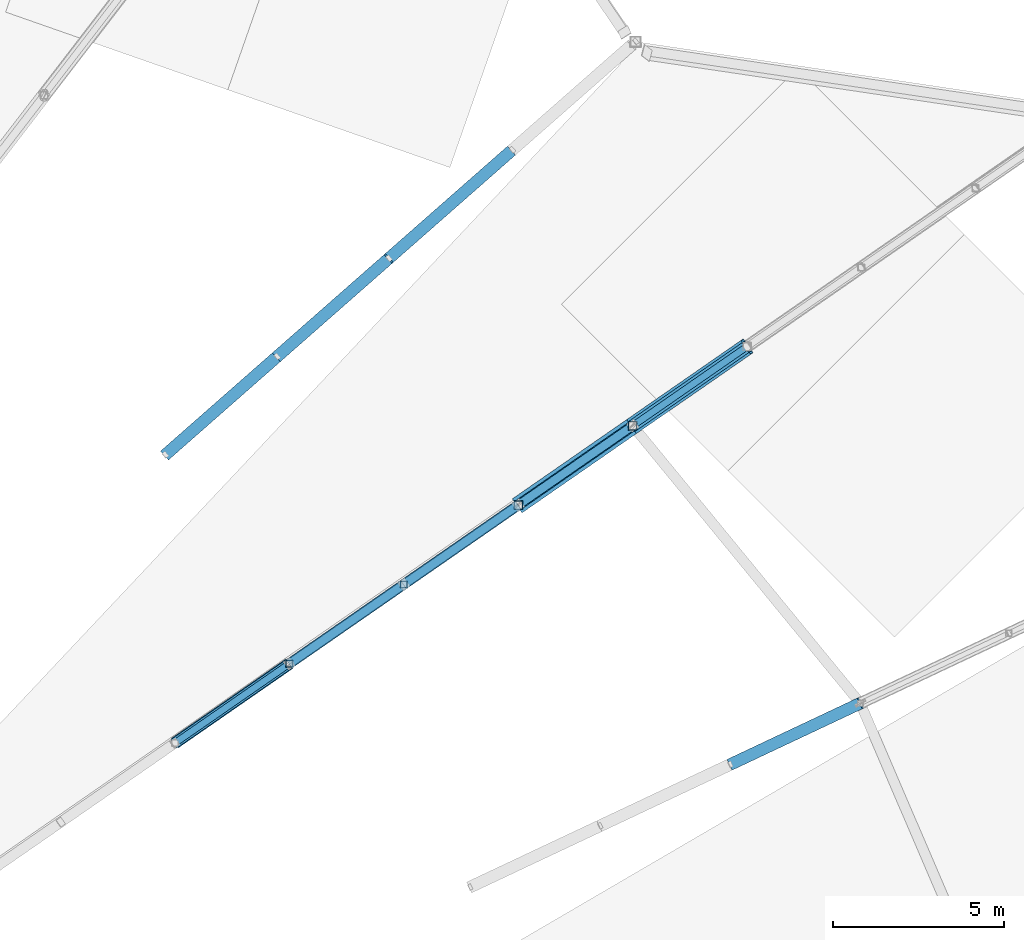
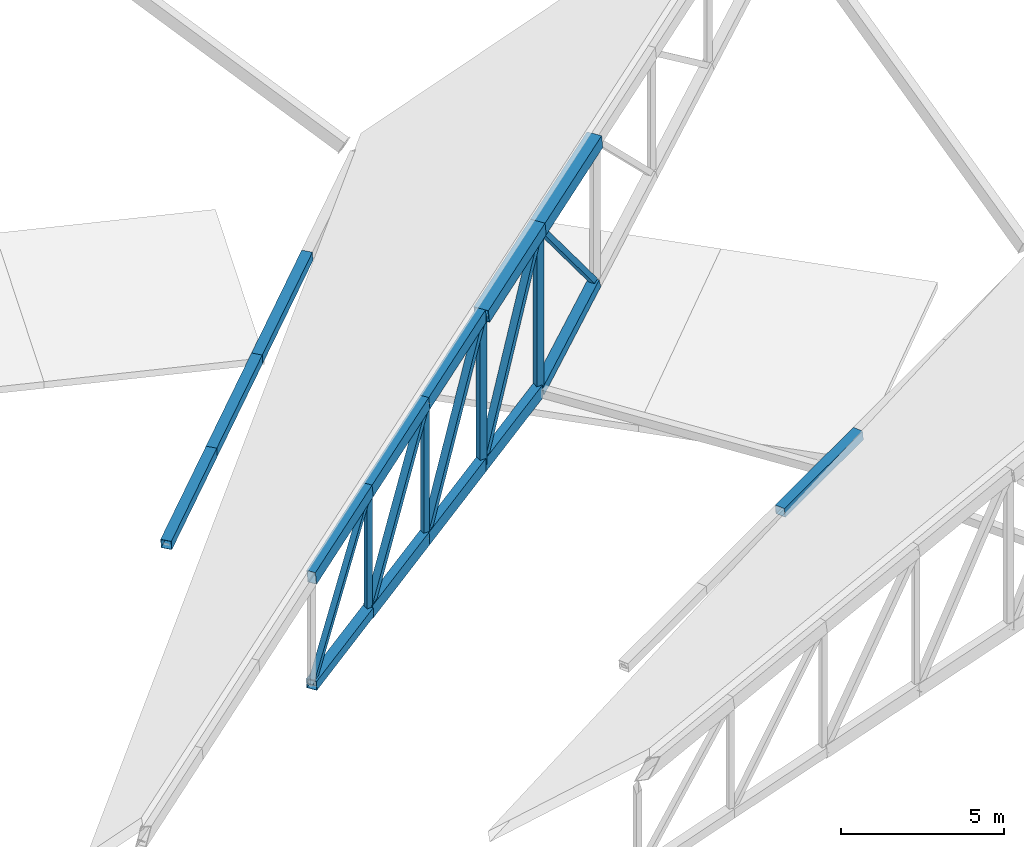
# One storey, part 101 of 188: 23 members.
"""IFC4 building model written with IfcOpenShell, lengths in metres."""

from ifc_helpers import new_model, si_unit, direction, frame, origin, origin_2d, place, context, subcontext, project, spatial, hollow_rectangle, extrude, material, material_profile, profile_set, type_object, element, save


model = new_model("IFC4")

# Units and contexts
model_context = context("Model", 3, precision=1e-05, world=origin(), true_north=direction((0.0, 1.0)))
body_context = subcontext(model_context, "Body", "Model", "MODEL_VIEW")
ifc_project = project(units=[si_unit("LENGTHUNIT", "METRE"), si_unit("AREAUNIT", "SQUARE_METRE"), si_unit("VOLUMEUNIT", "CUBIC_METRE"), si_unit("PLANEANGLEUNIT", "RADIAN"), si_unit("MASSUNIT", "GRAM", prefix="KILO")], contexts=[model_context])

# Site, building, storey
site_placement = place(None, origin())
site = spatial("IfcSite", under=ifc_project, at=site_placement, CompositionType="ELEMENT")
building_placement = place(site_placement, origin())
building = spatial("IfcBuilding", under=site, at=building_placement, Name="Meseta Stadium", CompositionType="ELEMENT")
storey_placement = place(building_placement, frame((0.0, 0.0, 30.0)))
storey = spatial("IfcBuildingStorey", under=building, at=storey_placement, Name="ROOF", CompositionType="ELEMENT", Elevation=30.0)

# Members
ifc_material_1 = material(Name="Steel S355", Category="steel")
ifc_material_profile_1 = material_profile(ifc_material_1, hollow_rectangle(XDim=0.300048828125, YDim=0.5, WallThickness=0.01611328125, at=origin_2d()), Name="RHS 500x300x16")
ifc_profile_set_1 = profile_set([ifc_material_profile_1], Name="Steel S355")
member_type_1 = type_object("IfcMemberType", Name="RHS 500x300x16 bottom chord", PredefinedType="CHORD", material=ifc_profile_set_1)
member_1_placement = place(storey_placement, frame((61.710205078125, 72.913818359375, 0.962158203125), z_axis=(0.821142779412, 0.569039636759, 0.043799858631), x_axis=(-0.569586254046, 0.821931566009, 0.0)))
element("IfcMember", 1, at=member_1_placement, inside=storey, type_object=member_type_1, Name="ROOF TRUSS RT-12 bottom chord", PredefinedType="CHORD", context=body_context, shape_type="SweptSolid", body=[
    extrude(hollow_rectangle(XDim=0.300048828125, YDim=0.5, WallThickness=0.01611328125, at=origin_2d()), origin(), (0.0, 0.0, 1.0), 4.085693359375),
])
for number, where, z_axis, x_axis, name in (
    (2, (65.065185546875, 75.23876953125, 1.14111328125), (0.821117005878, 0.569081528452, 0.043738731502), (-0.569626659021, 0.821903564497, 0.0), "ROOF TRUSS RT-12 bottom chord"),
    (3, (68.420166015625, 77.56396484375, 1.31982421875), (0.821162241402, 0.569011716865, 0.043797709594), (-0.569558253619, 0.821950969179, 0.0), "ROOF TRUSS RT-12 bottom chord"),
):
    element("IfcMember", number, at=place(storey_placement, frame(where, z_axis=z_axis, x_axis=x_axis)), inside=storey, type_object=member_type_1, Name=name, PredefinedType="CHORD", context=body_context, shape_type="SweptSolid", body=[
        extrude(hollow_rectangle(XDim=0.300048828125, YDim=0.5, WallThickness=0.01611328125, at=origin_2d()), origin(), (0.0, 0.0, 1.0), 4.0859375),
    ])
ifc_material_2 = material(Name="Steel S355", Category="steel")
ifc_material_profile_2 = material_profile(ifc_material_2, hollow_rectangle(XDim=0.300048828125, YDim=0.5, WallThickness=0.01611328125, at=origin_2d()), Name="RHS 500x300x16")
ifc_profile_set_2 = profile_set([ifc_material_profile_2], Name="Steel S355")
member_type_2 = type_object("IfcMemberType", Name="RHS 500x300x16 top chord", PredefinedType="CHORD", material=ifc_profile_set_2)
member_2_placement = place(storey_placement, frame((58.35498046875, 70.5888671875, 4.80712890625), z_axis=(0.810006015641, 0.561281182198, 0.169863736963), x_axis=(-0.569558253619, 0.821950969179, 0.0)))
element("IfcMember", 4, at=member_2_placement, inside=storey, type_object=member_type_2, Name="ROOF TRUSS RT-12 top chord", PredefinedType="CHORD", context=body_context, shape_type="SweptSolid", body=[
    extrude(hollow_rectangle(XDim=0.300048828125, YDim=0.5, WallThickness=0.01611328125, at=origin_2d()), origin(), (0.0, 0.0, 1.0), 4.142333984375),
])
for number, where, z_axis, x_axis, name in (
    (5, (61.710205078125, 72.913818359375, 5.5107421875), (0.809985745458, 0.561307979479, 0.169871846777), (-0.569586254046, 0.821931566009, 0.0), "ROOF TRUSS RT-12 top chord"),
    (6, (65.065185546875, 75.23876953125, 6.21435546875), (0.809958947157, 0.561348349055, 0.169866226583), (-0.569626659021, 0.821903564497, 0.0), "ROOF TRUSS RT-12 top chord"),
):
    element("IfcMember", number, at=place(storey_placement, frame(where, z_axis=z_axis, x_axis=x_axis)), inside=storey, type_object=member_type_2, Name=name, PredefinedType="CHORD", context=body_context, shape_type="SweptSolid", body=[
        extrude(hollow_rectangle(XDim=0.300048828125, YDim=0.5, WallThickness=0.01611328125, at=origin_2d()), origin(), (0.0, 0.0, 1.0), 4.14208984375),
    ])
ifc_material_3 = material(Name="Steel S355", Category="steel")
ifc_material_profile_3 = material_profile(ifc_material_3, hollow_rectangle(XDim=0.199951171875, YDim=0.199951171875, WallThickness=0.008056640625, at=origin_2d()), Name="SHS 200x200x8")
ifc_profile_set_3 = profile_set([ifc_material_profile_3], Name="Steel S355")
member_type_3 = type_object("IfcMemberType", Name="SHS 200x200x8 diagonal", PredefinedType="BRACE", material=ifc_profile_set_3)
member_3_placement = place(storey_placement, frame((58.35498046875, 70.5888671875, 0.783447265625), z_axis=(0.537195351799, 0.372241238098, 0.75687357905), x_axis=(-0.569558253619, 0.821950969179, 0.0)))
element("IfcMember", 7, at=member_3_placement, inside=storey, type_object=member_type_3, Name="ROOF TRUSS RT-12 diagonal", PredefinedType="BRACE", context=body_context, shape_type="SweptSolid", body=[
    extrude(hollow_rectangle(XDim=0.199951171875, YDim=0.199951171875, WallThickness=0.008056640625, at=origin_2d()), origin(), (0.0, 0.0, 1.0), 6.245849609375),
])
member_4_placement = place(storey_placement, frame((71.775390625, 79.888916015625, 7.62158203125), z_axis=(0.542418565459, 0.375897647258, -0.751320875946), x_axis=(-0.569596196645, 0.821924675848, 0.0)))
element("IfcMember", 8, at=member_4_placement, inside=storey, type_object=member_type_3, Name="ROOF TRUSS RT-12 diagonal", PredefinedType="BRACE", context=body_context, shape_type="SweptSolid", body=[
    extrude(hollow_rectangle(XDim=0.199951171875, YDim=0.199951171875, WallThickness=0.008056640625, at=origin_2d()), origin(), (0.0, 0.0, 1.0), 6.17529296875),
])
ifc_material_4 = material(Name="Steel S355", Category="steel")
ifc_material_profile_4 = material_profile(ifc_material_4, hollow_rectangle(XDim=0.199951171875, YDim=0.199951171875, WallThickness=0.008056640625, at=origin_2d()), Name="SHS 200x200x8")
ifc_profile_set_4 = profile_set([ifc_material_profile_4], Name="Steel S355")
member_type_4 = type_object("IfcMemberType", Name="SHS 200x200x8 post", PredefinedType="POST", material=ifc_profile_set_4)
member_5_placement = place(storey_placement, frame((61.710205078125, 72.913818359375, 0.962158203125), z_axis=(0.0, 0.0, 1.0), x_axis=(1.0, 0.0, 0.0)))
element("IfcMember", 9, at=member_5_placement, inside=storey, type_object=member_type_4, Name="ROOF TRUSS RT-12 post", PredefinedType="POST", context=body_context, shape_type="SweptSolid", body=[
    extrude(hollow_rectangle(XDim=0.199951171875, YDim=0.199951171875, WallThickness=0.008056640625, at=origin_2d()), origin(), (0.0, 0.0, 1.0), 4.548583984375),
])
member_6_placement = place(storey_placement, frame((65.065185546875, 75.23876953125, 1.14111328125), z_axis=(0.0, 0.0, 1.0), x_axis=(1.0, 0.0, 0.0)))
element("IfcMember", 10, at=member_6_placement, inside=storey, type_object=member_type_4, Name="ROOF TRUSS RT-12 post", PredefinedType="POST", context=body_context, shape_type="SweptSolid", body=[
    extrude(hollow_rectangle(XDim=0.199951171875, YDim=0.199951171875, WallThickness=0.008056640625, at=origin_2d()), origin(), (0.0, 0.0, 1.0), 5.0732421875),
])
ifc_material_5 = material(Name="Steel S355", Category="steel")
ifc_material_profile_5 = material_profile(ifc_material_5, hollow_rectangle(XDim=0.25, YDim=0.25, WallThickness=0.010009765625, at=origin_2d()), Name="SHS 250x250x10")
ifc_profile_set_5 = profile_set([ifc_material_profile_5], Name="Steel S355")
member_type_5 = type_object("IfcMemberType", Name="SHS 250x250x10 diagonal", PredefinedType="BRACE", material=ifc_profile_set_5)
member_7_placement = place(storey_placement, frame((61.710205078125, 72.913818359375, 0.962158203125), z_axis=(0.504369398454, 0.349520432359, 0.789586586301), x_axis=(-0.569586254046, 0.821931566009, 0.0)))
element("IfcMember", 11, at=member_7_placement, inside=storey, type_object=member_type_5, Name="ROOF TRUSS RT-12 diagonal", PredefinedType="BRACE", context=body_context, shape_type="SweptSolid", body=[
    extrude(hollow_rectangle(XDim=0.25, YDim=0.25, WallThickness=0.010009765625, at=origin_2d()), origin(), (0.0, 0.0, 1.0), 6.65185546875),
])
member_8_placement = place(storey_placement, frame((65.065185546875, 75.23876953125, 1.14111328125), z_axis=(0.474302346934, 0.328718931175, 0.81668913791), x_axis=(-0.569626659021, 0.821903564497, 0.0)))
element("IfcMember", 12, at=member_8_placement, inside=storey, type_object=member_type_5, Name="ROOF TRUSS RT-12 diagonal", PredefinedType="BRACE", context=body_context, shape_type="SweptSolid", body=[
    extrude(hollow_rectangle(XDim=0.25, YDim=0.25, WallThickness=0.010009765625, at=origin_2d()), origin(), (0.0, 0.0, 1.0), 7.073486328125),
])
member_9_placement = place(storey_placement, frame((68.420166015625, 77.56396484375, 1.31982421875), z_axis=(0.446866714217, 0.309649401112, 0.839301726506), x_axis=(-0.569558253619, 0.821950969179, 0.0)))
element("IfcMember", 13, at=member_9_placement, inside=storey, type_object=member_type_5, Name="ROOF TRUSS RT-12 diagonal", PredefinedType="BRACE", context=body_context, shape_type="SweptSolid", body=[
    extrude(hollow_rectangle(XDim=0.25, YDim=0.25, WallThickness=0.010009765625, at=origin_2d()), origin(), (0.0, 0.0, 1.0), 7.50830078125),
])
ifc_material_6 = material(Name="Steel S355", Category="steel")
ifc_material_profile_6 = material_profile(ifc_material_6, hollow_rectangle(XDim=0.25, YDim=0.25, WallThickness=0.010009765625, at=origin_2d()), Name="SHS 250x250x10")
ifc_profile_set_6 = profile_set([ifc_material_profile_6], Name="Steel S355")
member_type_6 = type_object("IfcMemberType", Name="SHS 250x250x10 post", PredefinedType="POST", material=ifc_profile_set_6)
member_10_placement = place(storey_placement, frame((68.420166015625, 77.56396484375, 1.31982421875), z_axis=(0.0, 0.0, 1.0), x_axis=(1.0, 0.0, 0.0)))
element("IfcMember", 14, at=member_10_placement, inside=storey, type_object=member_type_6, Name="ROOF TRUSS RT-12 post", PredefinedType="POST", context=body_context, shape_type="SweptSolid", body=[
    extrude(hollow_rectangle(XDim=0.25, YDim=0.25, WallThickness=0.010009765625, at=origin_2d()), origin(), (0.0, 0.0, 1.0), 5.59814453125),
])
member_11_placement = place(storey_placement, frame((71.775390625, 79.888916015625, 1.498779296875), z_axis=(0.0, 0.0, 1.0), x_axis=(1.0, 0.0, 0.0)))
element("IfcMember", 15, at=member_11_placement, inside=storey, type_object=member_type_6, Name="ROOF TRUSS RT-12 post", PredefinedType="POST", context=body_context, shape_type="SweptSolid", body=[
    extrude(hollow_rectangle(XDim=0.25, YDim=0.25, WallThickness=0.010009765625, at=origin_2d()), origin(), (0.0, 0.0, 1.0), 6.122802734375),
])
ifc_material_7 = material(Name="Steel S355", Category="steel")
ifc_material_profile_7 = material_profile(ifc_material_7, hollow_rectangle(XDim=0.35009765625, YDim=0.35009765625, WallThickness=0.010009765625, at=origin_2d()), Name="SHS 350x350x10")
ifc_profile_set_7 = profile_set([ifc_material_profile_7], Name="Steel S355")
member_type_7 = type_object("IfcMemberType", Name="SHS 350x350x10 bottom chord", PredefinedType="CHORD", material=ifc_profile_set_7)
member_12_placement = place(storey_placement, frame((71.775390625, 79.888916015625, 1.498779296875), z_axis=(0.772365222596, 0.535251351053, 0.34199116088), x_axis=(-0.569596196645, 0.821924675848, 0.0)))
element("IfcMember", 16, at=member_12_placement, inside=storey, type_object=member_type_7, Name="ROOF TRUSS RT-12 bottom chord", PredefinedType="CHORD", context=body_context, shape_type="SweptSolid", body=[
    extrude(hollow_rectangle(XDim=0.35009765625, YDim=0.35009765625, WallThickness=0.010009765625, at=origin_2d()), origin(), (0.0, 0.0, 1.0), 4.3369140625),
])
ifc_material_8 = material(Name="Steel S355", Category="steel")
ifc_material_profile_8 = material_profile(ifc_material_8, hollow_rectangle(XDim=0.35009765625, YDim=0.35009765625, WallThickness=0.010009765625, at=origin_2d()), Name="SHS 350x350x10")
ifc_profile_set_8 = profile_set([ifc_material_profile_8], Name="Steel S355")
member_type_8 = type_object("IfcMemberType", Name="SHS 350x350x10 top chord", PredefinedType="CHORD", material=ifc_profile_set_8)
member_13_placement = place(storey_placement, frame((74.630126953125, 69.958740234375, 1.97802734375), z_axis=(0.898664326799, 0.423367682466, 0.114726776218), x_axis=(-0.426181724525, 0.904637572556, 0.0)))
element("IfcMember", 17, at=member_13_placement, inside=storey, type_object=member_type_8, Name="ROOF TRUSS RT-11 top chord", PredefinedType="CHORD", context=body_context, shape_type="SweptSolid", body=[
    extrude(hollow_rectangle(XDim=0.35009765625, YDim=0.35009765625, WallThickness=0.010009765625, at=origin_2d()), origin(), (0.0, 0.0, 1.0), 4.245361328125),
])
member_14_placement = place(storey_placement, frame((58.068115234375, 79.032470703125, 1.02099609375), z_axis=(0.744051221143, 0.653920305135, 0.137025599245), x_axis=(-0.660147138656, 0.751136309416, 0.0)))
element("IfcMember", 18, at=member_14_placement, inside=storey, type_object=member_type_8, Name="ROOF TRUSS RT-13 top chord", PredefinedType="CHORD", context=body_context, shape_type="SweptSolid", body=[
    extrude(hollow_rectangle(XDim=0.35009765625, YDim=0.35009765625, WallThickness=0.010009765625, at=origin_2d()), origin(), (0.0, 0.0, 1.0), 4.404296875),
])
member_15_placement = place(storey_placement, frame((61.34521484375, 81.91259765625, 1.62451171875), z_axis=(0.744059098746, 0.653920513247, 0.13698182335), x_axis=(-0.66014331382, 0.751139670913, 0.0)))
element("IfcMember", 19, at=member_15_placement, inside=storey, type_object=member_type_8, Name="ROOF TRUSS RT-13 top chord", PredefinedType="CHORD", context=body_context, shape_type="SweptSolid", body=[
    extrude(hollow_rectangle(XDim=0.35009765625, YDim=0.35009765625, WallThickness=0.010009765625, at=origin_2d()), origin(), (0.0, 0.0, 1.0), 4.404052734375),
])
member_16_placement = place(storey_placement, frame((64.6220703125, 84.79248046875, 2.227783203125), z_axis=(0.744058267473, 0.653919603093, 0.136990683247), x_axis=(-0.660143211531, 0.75113976081, 0.0)))
element("IfcMember", 20, at=member_16_placement, inside=storey, type_object=member_type_8, Name="ROOF TRUSS RT-13 top chord", PredefinedType="CHORD", context=body_context, shape_type="SweptSolid", body=[
    extrude(hollow_rectangle(XDim=0.35009765625, YDim=0.35009765625, WallThickness=0.010009765625, at=origin_2d()), origin(), (0.0, 0.0, 1.0), 4.86181640625),
])
ifc_material_9 = material(Name="Steel S355", Category="steel")
ifc_material_profile_9 = material_profile(ifc_material_9, hollow_rectangle(XDim=0.35009765625, YDim=0.35009765625, WallThickness=0.01416015625, at=origin_2d()), Name="SHS 350x350x14.2")
ifc_profile_set_9 = profile_set([ifc_material_profile_9], Name="Steel S355")
member_type_9 = type_object("IfcMemberType", Name="SHS 350x350x14.2 bottom chord", PredefinedType="CHORD", material=ifc_profile_set_9)
member_17_placement = place(storey_placement, frame((58.35498046875, 70.5888671875, 0.783447265625), z_axis=(0.821164388902, 0.569013204942, 0.043738072668), x_axis=(-0.569558253619, 0.821950969179, 0.0)))
element("IfcMember", 21, at=member_17_placement, inside=storey, type_object=member_type_9, Name="ROOF TRUSS RT-12 bottom chord", PredefinedType="CHORD", context=body_context, shape_type="SweptSolid", body=[
    extrude(hollow_rectangle(XDim=0.35009765625, YDim=0.35009765625, WallThickness=0.01416015625, at=origin_2d()), origin(), (0.0, 0.0, 1.0), 4.0859375),
])
ifc_material_10 = material(Name="Steel S355", Category="steel")
ifc_material_profile_10 = material_profile(ifc_material_10, hollow_rectangle(XDim=0.5, YDim=0.5, WallThickness=0.01611328125, at=origin_2d()), Name="SHS 500x500x16")
ifc_profile_set_10 = profile_set([ifc_material_profile_10], Name="Steel S355")
member_type_10 = type_object("IfcMemberType", Name="SHS 500x500x16 top chord", PredefinedType="CHORD", material=ifc_profile_set_10)
member_18_placement = place(storey_placement, frame((68.420166015625, 77.56396484375, 6.91796875), z_axis=(0.810006015641, 0.561281182198, 0.169863736963), x_axis=(-0.569558253619, 0.821950969179, 0.0)))
element("IfcMember", 22, at=member_18_placement, inside=storey, type_object=member_type_10, Name="ROOF TRUSS RT-12 top chord", PredefinedType="CHORD", context=body_context, shape_type="SweptSolid", body=[
    extrude(hollow_rectangle(XDim=0.5, YDim=0.5, WallThickness=0.01611328125, at=origin_2d()), origin(), (0.0, 0.0, 1.0), 4.142333984375),
])
member_19_placement = place(storey_placement, frame((71.775390625, 79.888916015625, 7.62158203125), z_axis=(0.80997416436, 0.561314457342, 0.169905659259), x_axis=(-0.569596196645, 0.821924675848, 0.0)))
element("IfcMember", 23, at=member_19_placement, inside=storey, type_object=member_type_10, Name="ROOF TRUSS RT-12 top chord", PredefinedType="CHORD", context=body_context, shape_type="SweptSolid", body=[
    extrude(hollow_rectangle(XDim=0.5, YDim=0.5, WallThickness=0.01611328125, at=origin_2d()), origin(), (0.0, 0.0, 1.0), 4.135498046875),
])

save(model, "model.ifc")
